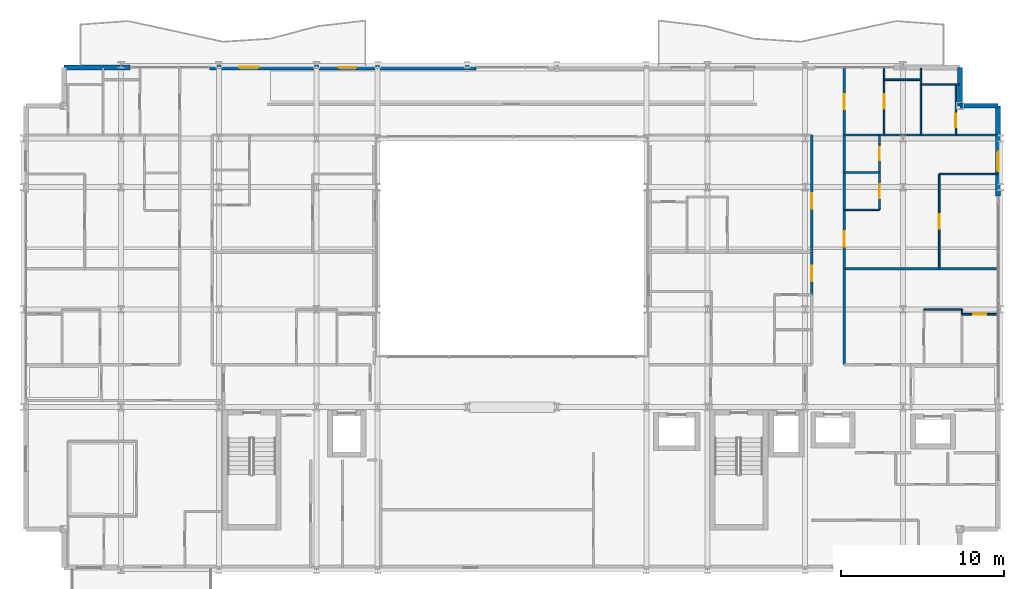
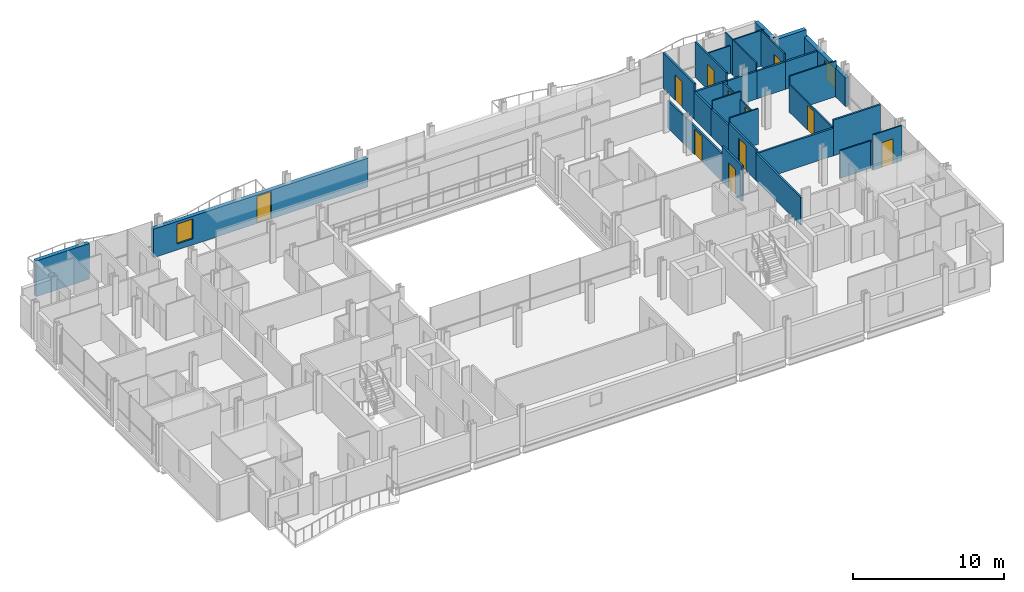
# One storey, part 36 of 41: 34 walls, 11 doors, 2 windows, 13 openings.
"""IFC4 building model written with IfcOpenShell, lengths in metres."""

from ifc_helpers import new_model, si_unit, direction, frame, frame_2d, origin, place, context, subcontext, project, spatial, rectangle, extrude, material, layer, layer_set, type_object, element, fill, save


model = new_model("IFC4")

# Units and contexts
model_context = context("Model", 3, precision=1e-05, world=origin(), true_north=direction((0.0, 1.0)))
body_context = subcontext(model_context, "Body", "Model", "MODEL_VIEW")
ifc_project = project(units=[si_unit("LENGTHUNIT", "METRE"), si_unit("AREAUNIT", "SQUARE_METRE"), si_unit("VOLUMEUNIT", "CUBIC_METRE"), si_unit("PLANEANGLEUNIT", "RADIAN"), si_unit("MASSUNIT", "GRAM", prefix="KILO")], contexts=[model_context])

# Site, building, storey
site_placement = place(None, origin())
site = spatial("IfcSite", under=ifc_project, at=site_placement, CompositionType="ELEMENT")
building_placement = place(site_placement, origin())
building = spatial("IfcBuilding", under=site, at=building_placement, Name="Brevholm Reach", CompositionType="ELEMENT")
storey_placement = place(building_placement, frame((0.0, 0.0, 49.699951171875)))
storey = spatial("IfcBuildingStorey", under=building, at=storey_placement, Name="L13", CompositionType="ELEMENT", Elevation=49.699951171875)

# Walls
ifc_material_1 = material(Name="Concrete C40/50", Category="concrete")
ifc_layer_1 = layer(ifc_material_1, 0.300048828125)
ifc_layer_set_1 = layer_set([ifc_layer_1], Name="Concrete C40/50")
wall_type_1 = type_object("IfcWallType", Name="WAL-EXT-300", PredefinedType="STANDARD", material=ifc_layer_set_1)
for number, where, z_axis, x_axis, name in (
    (1, (59.85009765625, 28.5, 0.0), (0.0, 0.0, 1.0), (-1.0, 0.0, 0.0), "L13 Facade Wall WAL-L13-CNE1"),
    (2, (57.5, 28.5, 0.0), (0.0, 0.0, 1.0), (0.0, 1.0, 0.0), "L13 Facade Wall WAL-L13-CNE2"),
):
    element("IfcWall", number, at=place(storey_placement, frame(where, z_axis=z_axis, x_axis=x_axis)), inside=storey, type_object=wall_type_1, Name=name, PredefinedType="STANDARD", context=body_context, shape_type="SweptSolid", body=[
        extrude(rectangle(XDim=2.35009765625, YDim=0.300048828125, at=frame_2d((1.175048828125, 0.0))), origin(), (0.0, 0.0, 1.0), 2.8701171875),
    ])

# Wall, opening, window
wall_1_placement = place(storey_placement, frame((59.85009765625, 22.949951171875, 0.0), z_axis=(0.0, 0.0, 1.0), x_axis=(0.0, 1.0, 0.0)))
wall_1 = element("IfcWall", 3, at=wall_1_placement, inside=storey, type_object=wall_type_1, Name="L13 Facade Wall WAL-L13-E-N", PredefinedType="STANDARD", context=body_context, shape_type="SweptSolid", body=[
    extrude(rectangle(XDim=5.550048828125, YDim=0.300048828125, at=frame_2d((2.77490234375, 0.0))), origin(), (0.0, 0.0, 1.0), 2.3056640625),
])
opening_1_placement = place(wall_1_placement, frame((1.530029296875, 0.0, 0.485107421875)))
opening_1 = element("IfcOpeningElement", 4, at=opening_1_placement, cuts=wall_1, Name="Opening WN-08", PredefinedType="OPENING", context=body_context, shape_type="SweptSolid", body=[
    extrude(rectangle(XDim=1.199951171875, YDim=1.60009765625, at=frame_2d((0.60009765625, 0.800048828125))), frame((0.0, 0.159912109375, 0.0), z_axis=(0.0, -1.0, 0.0), x_axis=(1.0, 0.0, 0.0)), (0.0, 0.0, 1.0), 0.320068359375),
])
ifc_material_2 = material(Name="Dark Anodised Aluminium and Solar-Control IGU Glass", Category="aluminium")
window_type = type_object("IfcWindowType", Name="WIN-RES-1200", PartitioningType="SINGLE_PANEL", PredefinedType="WINDOW", material=ifc_material_2)
window_1_placement = place(opening_1_placement, origin())
window_1 = element("IfcWindow", 5, at=window_1_placement, inside=storey, type_object=window_type, Name="L13 Window WIN-L13-EN-1", OverallHeight=1.60009765625, OverallWidth=1.199951171875, PartitioningType="SINGLE_PANEL", PredefinedType="WINDOW", context=body_context, shape_type="SweptSolid", body=[
    extrude(rectangle(XDim=1.199951171875, YDim=1.60009765625, at=frame_2d((0.60009765625, 0.800048828125))), frame((0.0, 0.030029296875, 0.0), z_axis=(0.0, -1.0, 0.0), x_axis=(1.0, 0.0, 0.0)), (0.0, 0.0, 1.0), 0.06005859375),
])
fill(opening_1, window_1)

# Wall
wall_2_placement = place(storey_placement, frame((2.5, 30.85009765625, 0.0), z_axis=(0.0, 0.0, 1.0), x_axis=(1.0, 0.0, 0.0)))
element("IfcWall", 6, at=wall_2_placement, inside=storey, type_object=wall_type_1, Name="L13 Facade Wall WAL-L13-NP-W0", PredefinedType="STANDARD", context=body_context, shape_type="SweptSolid", body=[
    extrude(rectangle(XDim=4.050048828125, YDim=0.300048828125, at=frame_2d((2.02490234375, 0.0))), origin(), (0.0, 0.0, 1.0), 2.8701171875),
])

# Wall, openings, door, window
wall_3_placement = place(storey_placement, frame((11.449951171875, 30.85009765625, 0.0), z_axis=(0.0, 0.0, 1.0), x_axis=(1.0, 0.0, 0.0)))
wall_3 = element("IfcWall", 7, at=wall_3_placement, inside=storey, type_object=wall_type_1, Name="L13 Facade Wall WAL-L13-NP-WL", PredefinedType="STANDARD", context=body_context, shape_type="SweptSolid", body=[
    extrude(rectangle(XDim=16.35009765625, YDim=0.300048828125, at=frame_2d((8.175048828125, 0.0))), origin(), (0.0, 0.0, 1.0), 2.3056640625),
])
opening_2_placement = place(wall_3_placement, frame((7.89794921875, 0.0, 0.0)))
opening_2 = element("IfcOpeningElement", 8, at=opening_2_placement, cuts=wall_3, Name="Opening BD-01", PredefinedType="OPENING", context=body_context, shape_type="SweptSolid", body=[
    extrude(rectangle(XDim=1.10009765625, YDim=2.199951171875, at=frame_2d((0.550048828125, 1.10009765625))), frame((0.0, 0.159912109375, 0.0), z_axis=(0.0, -1.0, 0.0), x_axis=(1.0, 0.0, 0.0)), (0.0, 0.0, 1.0), 0.320068359375),
])
opening_3_placement = place(wall_3_placement, frame((1.800048828125, 0.0, 0.485107421875)))
opening_3 = element("IfcOpeningElement", 9, at=opening_3_placement, cuts=wall_3, Name="Opening WN-08", PredefinedType="OPENING", context=body_context, shape_type="SweptSolid", body=[
    extrude(rectangle(XDim=1.199951171875, YDim=1.60009765625, at=frame_2d((0.60009765625, 0.800048828125))), frame((0.0, 0.159912109375, 0.0), z_axis=(0.0, -1.0, 0.0), x_axis=(1.0, 0.0, 0.0)), (0.0, 0.0, 1.0), 0.320068359375),
])
ifc_material_3 = material(Name="Dark Anodised Aluminium and Triple-Glazed Glass", Category="aluminium")
door_type_1 = type_object("IfcDoorType", Name="DOR-BALC-1100", OperationType="NOTDEFINED", PredefinedType="DOOR", material=ifc_material_3)
door_1_placement = place(opening_2_placement, origin())
door_1 = element("IfcDoor", 10, at=door_1_placement, inside=storey, type_object=door_type_1, Name="L13 Exterior Door DOR-L13-BL-NW", OperationType="SINGLE_SWING_RIGHT", OverallHeight=2.199951171875, OverallWidth=1.10009765625, PredefinedType="DOOR", context=body_context, shape_type="SweptSolid", body=[
    extrude(rectangle(XDim=1.10009765625, YDim=2.199951171875, at=frame_2d((0.550048828125, 1.10009765625))), frame((0.0, 0.02490234375, 0.0), z_axis=(0.0, -1.0, 0.0), x_axis=(1.0, 0.0, 0.0)), (0.0, 0.0, 1.0), 0.050048828125),
])
fill(opening_2, door_1)
window_2_placement = place(opening_3_placement, origin())
window_2 = element("IfcWindow", 11, at=window_2_placement, inside=storey, type_object=window_type, Name="L13 Window WIN-L13-NP-WL1", OverallHeight=1.60009765625, OverallWidth=1.199951171875, PartitioningType="SINGLE_PANEL", PredefinedType="WINDOW", context=body_context, shape_type="SweptSolid", body=[
    extrude(rectangle(XDim=1.199951171875, YDim=1.60009765625, at=frame_2d((0.60009765625, 0.800048828125))), frame((0.0, 0.030029296875, 0.0), z_axis=(0.0, -1.0, 0.0), x_axis=(1.0, 0.0, 0.0)), (0.0, 0.0, 1.0), 0.06005859375),
])
fill(opening_3, window_2)

# Wall, opening, door
ifc_material_4 = material(Name="Moisture-Resistant Acoustic Gypsum Stud Partition 100 mm", Category="gypsum")
ifc_layer_2 = layer(ifc_material_4, 0.10009765625)
ifc_layer_set_2 = layer_set([ifc_layer_2], Name="Moisture-Resistant Acoustic Gypsum Stud Partition 100 mm")
wall_type_2 = type_object("IfcWallType", Name="WAL-PRT-100", PredefinedType="PARTITIONING", material=ifc_layer_set_2)
wall_4_placement = place(storey_placement, frame((57.637939453125, 15.699951171875, 0.0), z_axis=(0.0, 0.0, 1.0), x_axis=(1.0, 0.0, 0.0)))
wall_4 = element("IfcWall", 12, at=wall_4_placement, inside=storey, type_object=wall_type_2, Name="L13 Internal Partition 121", PredefinedType="PARTITIONING", context=body_context, shape_type="SweptSolid", body=[
    extrude(rectangle(XDim=2.162109375, YDim=0.10009765625, at=frame_2d((1.0810546875, 0.0))), origin(), (0.0, 0.0, 1.0), 2.8701171875),
])
opening_4_placement = place(wall_4_placement, frame((0.6708984375, 0.0, 0.0)))
opening_4 = element("IfcOpeningElement", 13, at=opening_4_placement, cuts=wall_4, Name="Opening ID-03", PredefinedType="OPENING", context=body_context, shape_type="SweptSolid", body=[
    extrude(rectangle(XDim=0.820068359375, YDim=2.02001953125, at=frame_2d((0.41015625, 1.010009765625))), frame((0.0, 0.06005859375, 0.0), z_axis=(0.0, -1.0, 0.0), x_axis=(1.0, 0.0, 0.0)), (0.0, 0.0, 1.0), 0.1201171875),
])
ifc_material_5 = material(Name="Moisture-Resistant Painted Timber Internal Bathroom Door", Category="wood")
door_type_2 = type_object("IfcDoorType", Name="DOR-BATH-820", OperationType="NOTDEFINED", PredefinedType="DOOR", material=ifc_material_5)
door_2_placement = place(opening_4_placement, origin())
door_2 = element("IfcDoor", 14, at=door_2_placement, inside=storey, type_object=door_type_2, Name="L13 Internal Door 045", OperationType="SINGLE_SWING_RIGHT", OverallHeight=2.02001953125, OverallWidth=0.820068359375, PredefinedType="DOOR", context=body_context, shape_type="SweptSolid", body=[
    extrude(rectangle(XDim=0.820068359375, YDim=2.02001953125, at=frame_2d((0.41015625, 1.010009765625))), frame((0.0, 0.02490234375, 0.0), z_axis=(0.0, -1.0, 0.0), x_axis=(1.0, 0.0, 0.0)), (0.0, 0.0, 1.0), 0.050048828125),
])
fill(opening_4, door_2)

# Walls
wall_5_placement = place(storey_placement, frame((57.637939453125, 15.7041015625, 0.0), z_axis=(0.0, 0.0, 1.0), x_axis=(0.0, 1.0, 0.0)))
element("IfcWall", 15, at=wall_5_placement, inside=storey, type_object=wall_type_2, Name="L13 Internal Partition 122", PredefinedType="PARTITIONING", context=body_context, shape_type="SweptSolid", body=[
    extrude(rectangle(XDim=0.2958984375, YDim=0.10009765625, at=frame_2d((0.14794921875, 0.0))), origin(), (0.0, 0.0, 1.0), 2.224853515625),
])
wall_6_placement = place(storey_placement, frame((55.2880859375, 16.0, 0.0), z_axis=(0.0, 0.0, 1.0), x_axis=(1.0, 0.0, 0.0)))
element("IfcWall", 16, at=wall_6_placement, inside=storey, type_object=wall_type_2, Name="L13 Internal Partition 123", PredefinedType="PARTITIONING", context=body_context, shape_type="SweptSolid", body=[
    extrude(rectangle(XDim=2.349853515625, YDim=0.10009765625, at=frame_2d((1.1748046875, 0.0))), origin(), (0.0, 0.0, 1.0), 2.224853515625),
])
wall_7_placement = place(storey_placement, frame((50.404052734375, 24.406005859375, 0.0), z_axis=(0.0, 0.0, 1.0), x_axis=(1.0, 0.0, 0.0)))
element("IfcWall", 17, at=wall_7_placement, inside=storey, type_object=wall_type_2, Name="L13 Internal Partition 127", PredefinedType="PARTITIONING", context=body_context, shape_type="SweptSolid", body=[
    extrude(rectangle(XDim=2.157958984375, YDim=0.10009765625, at=frame_2d((1.0791015625, 0.0))), origin(), (0.0, 0.0, 1.0), 2.8701171875),
])

# Wall, opening, door
wall_8_placement = place(storey_placement, frame((52.56201171875, 24.406005859375, 0.0), z_axis=(0.0, 0.0, 1.0), x_axis=(0.0, 1.0, 0.0)))
wall_8 = element("IfcWall", 18, at=wall_8_placement, inside=storey, type_object=wall_type_2, Name="L13 Internal Partition 128", PredefinedType="PARTITIONING", context=body_context, shape_type="SweptSolid", body=[
    extrude(rectangle(XDim=2.2939453125, YDim=0.10009765625, at=frame_2d((1.14697265625, 0.0))), origin(), (0.0, 0.0, 1.0), 2.224853515625),
])
opening_5_placement = place(wall_8_placement, frame((0.737060546875, 0.0, 0.0)))
opening_5 = element("IfcOpeningElement", 19, at=opening_5_placement, cuts=wall_8, Name="Opening ID-03", PredefinedType="OPENING", context=body_context, shape_type="SweptSolid", body=[
    extrude(rectangle(XDim=0.820068359375, YDim=2.02001953125, at=frame_2d((0.41015625, 1.010009765625))), frame((0.0, 0.06005859375, 0.0), z_axis=(0.0, -1.0, 0.0), x_axis=(1.0, 0.0, 0.0)), (0.0, 0.0, 1.0), 0.1201171875),
])
door_3_placement = place(opening_5_placement, origin())
door_3 = element("IfcDoor", 20, at=door_3_placement, inside=storey, type_object=door_type_2, Name="L13 Internal Door 047", OperationType="SINGLE_SWING_RIGHT", OverallHeight=2.02001953125, OverallWidth=0.820068359375, PredefinedType="DOOR", context=body_context, shape_type="SweptSolid", body=[
    extrude(rectangle(XDim=0.820068359375, YDim=2.02001953125, at=frame_2d((0.41015625, 1.010009765625))), frame((0.0, 0.02490234375, 0.0), z_axis=(0.0, -1.0, 0.0), x_axis=(1.0, 0.0, 0.0)), (0.0, 0.0, 1.0), 0.050048828125),
])
fill(opening_5, door_3)

# Wall
wall_9_placement = place(storey_placement, frame((50.404052734375, 22.110107421875, 0.0), z_axis=(0.0, 0.0, 1.0), x_axis=(1.0, 0.0, 0.0)))
element("IfcWall", 21, at=wall_9_placement, inside=storey, type_object=wall_type_2, Name="L13 Internal Partition 130", PredefinedType="PARTITIONING", context=body_context, shape_type="SweptSolid", body=[
    extrude(rectangle(XDim=2.157958984375, YDim=0.10009765625, at=frame_2d((1.0791015625, 0.0))), origin(), (0.0, 0.0, 1.0), 2.8701171875),
])

# Wall, opening, door
wall_10_placement = place(storey_placement, frame((52.56201171875, 22.110107421875, 0.0), z_axis=(0.0, 0.0, 1.0), x_axis=(0.0, 1.0, 0.0)))
wall_10 = element("IfcWall", 22, at=wall_10_placement, inside=storey, type_object=wall_type_2, Name="L13 Internal Partition 131", PredefinedType="PARTITIONING", context=body_context, shape_type="SweptSolid", body=[
    extrude(rectangle(XDim=2.2919921875, YDim=0.10009765625, at=frame_2d((1.14599609375, 0.0))), origin(), (0.0, 0.0, 1.0), 2.224853515625),
])
opening_6_placement = place(wall_10_placement, frame((0.7060546875, 0.0, 0.0)))
opening_6 = element("IfcOpeningElement", 23, at=opening_6_placement, cuts=wall_10, Name="Opening ID-01", PredefinedType="OPENING", context=body_context, shape_type="SweptSolid", body=[
    extrude(rectangle(XDim=0.8798828125, YDim=2.0400390625, at=frame_2d((0.43994140625, 1.02001953125))), frame((0.0, 0.06005859375, 0.0), z_axis=(0.0, -1.0, 0.0), x_axis=(1.0, 0.0, 0.0)), (0.0, 0.0, 1.0), 0.1201171875),
])
ifc_material_6 = material(Name="Lacquered Ash Solid-Core Acoustic Internal Door", Category="timber")
door_type_3 = type_object("IfcDoorType", Name="DOR-INT-880", OperationType="NOTDEFINED", PredefinedType="DOOR", material=ifc_material_6)
door_4_placement = place(opening_6_placement, origin())
door_4 = element("IfcDoor", 24, at=door_4_placement, inside=storey, type_object=door_type_3, Name="L13 Internal Door 048", OperationType="SINGLE_SWING_LEFT", OverallHeight=2.0400390625, OverallWidth=0.8798828125, PredefinedType="DOOR", context=body_context, shape_type="SweptSolid", body=[
    extrude(rectangle(XDim=0.8798828125, YDim=2.0400390625, at=frame_2d((0.43994140625, 1.02001953125))), frame((0.0, 0.02490234375, 0.0), z_axis=(0.0, -1.0, 0.0), x_axis=(1.0, 0.0, 0.0)), (0.0, 0.0, 1.0), 0.050048828125),
])
fill(opening_6, door_4)

# Wall
wall_11_placement = place(storey_placement, frame((56.22802734375, 24.300048828125, 0.0), z_axis=(0.0, 0.0, 1.0), x_axis=(1.0, 0.0, 0.0)))
element("IfcWall", 25, at=wall_11_placement, inside=storey, type_object=wall_type_2, Name="L13 Internal Partition 132", PredefinedType="PARTITIONING", context=body_context, shape_type="SweptSolid", body=[
    extrude(rectangle(XDim=3.572021484375, YDim=0.10009765625, at=frame_2d((1.7861328125, 0.0))), origin(), (0.0, 0.0, 1.0), 2.8701171875),
])

# Wall, opening, door
wall_12_placement = place(storey_placement, frame((56.22802734375, 18.50390625, 0.0), z_axis=(0.0, 0.0, 1.0), x_axis=(0.0, 1.0, 0.0)))
wall_12 = element("IfcWall", 26, at=wall_12_placement, inside=storey, type_object=wall_type_2, Name="L13 Internal Partition 133", PredefinedType="PARTITIONING", context=body_context, shape_type="SweptSolid", body=[
    extrude(rectangle(XDim=5.796142578125, YDim=0.10009765625, at=frame_2d((2.89794921875, 0.0))), origin(), (0.0, 0.0, 1.0), 2.224853515625),
])
opening_7_placement = place(wall_12_placement, frame((2.4580078125, 0.0, 0.0)))
opening_7 = element("IfcOpeningElement", 27, at=opening_7_placement, cuts=wall_12, Name="Opening ID-01", PredefinedType="OPENING", context=body_context, shape_type="SweptSolid", body=[
    extrude(rectangle(XDim=0.8798828125, YDim=2.0400390625, at=frame_2d((0.43994140625, 1.02001953125))), frame((0.0, 0.06005859375, 0.0), z_axis=(0.0, -1.0, 0.0), x_axis=(1.0, 0.0, 0.0)), (0.0, 0.0, 1.0), 0.1201171875),
])
door_5_placement = place(opening_7_placement, origin())
door_5 = element("IfcDoor", 28, at=door_5_placement, inside=storey, type_object=door_type_3, Name="L13 Internal Door 049", OperationType="SINGLE_SWING_RIGHT", OverallHeight=2.0400390625, OverallWidth=0.8798828125, PredefinedType="DOOR", context=body_context, shape_type="SweptSolid", body=[
    extrude(rectangle(XDim=0.8798828125, YDim=2.0400390625, at=frame_2d((0.43994140625, 1.02001953125))), frame((0.0, 0.02490234375, 0.0), z_axis=(0.0, -1.0, 0.0), x_axis=(1.0, 0.0, 0.0)), (0.0, 0.0, 1.0), 0.050048828125),
])
fill(opening_7, door_5)

# Wall
wall_13_placement = place(storey_placement, frame((55.10009765625, 26.7041015625, 0.0), z_axis=(0.0, 0.0, 1.0), x_axis=(0.0, 1.0, 0.0)))
element("IfcWall", 29, at=wall_13_placement, inside=storey, type_object=wall_type_2, Name="L13 Internal Partition 144", PredefinedType="PARTITIONING", context=body_context, shape_type="SweptSolid", body=[
    extrude(rectangle(XDim=3.095947265625, YDim=0.10009765625, at=frame_2d((1.5478515625, 0.0))), origin(), (0.0, 0.0, 1.0), 2.8701171875),
])

# Wall, opening, door
wall_14_placement = place(storey_placement, frame((57.25, 26.7041015625, 0.0), z_axis=(0.0, 0.0, 1.0), x_axis=(0.0, 1.0, 0.0)))
wall_14 = element("IfcWall", 30, at=wall_14_placement, inside=storey, type_object=wall_type_2, Name="L13 Internal Partition 145", PredefinedType="PARTITIONING", context=body_context, shape_type="SweptSolid", body=[
    extrude(rectangle(XDim=3.095947265625, YDim=0.10009765625, at=frame_2d((1.5478515625, 0.0))), origin(), (0.0, 0.0, 1.0), 2.8701171875),
])
opening_8_placement = place(wall_14_placement, frame((0.47802734375, 0.0, 0.0)))
opening_8 = element("IfcOpeningElement", 31, at=opening_8_placement, cuts=wall_14, Name="Opening ID-03", PredefinedType="OPENING", context=body_context, shape_type="SweptSolid", body=[
    extrude(rectangle(XDim=0.820068359375, YDim=2.02001953125, at=frame_2d((0.41015625, 1.010009765625))), frame((0.0, 0.06005859375, 0.0), z_axis=(0.0, -1.0, 0.0), x_axis=(1.0, 0.0, 0.0)), (0.0, 0.0, 1.0), 0.1201171875),
])
door_6_placement = place(opening_8_placement, origin())
door_6 = element("IfcDoor", 32, at=door_6_placement, inside=storey, type_object=door_type_2, Name="L13 Internal Door 052", OperationType="SINGLE_SWING_LEFT", OverallHeight=2.02001953125, OverallWidth=0.820068359375, PredefinedType="DOOR", context=body_context, shape_type="SweptSolid", body=[
    extrude(rectangle(XDim=0.820068359375, YDim=2.02001953125, at=frame_2d((0.41015625, 1.010009765625))), frame((0.0, 0.02490234375, 0.0), z_axis=(0.0, -1.0, 0.0), x_axis=(1.0, 0.0, 0.0)), (0.0, 0.0, 1.0), 0.050048828125),
])
fill(opening_8, door_6)

# Walls
wall_15_placement = place(storey_placement, frame((55.10009765625, 29.800048828125, 0.0), z_axis=(0.0, 0.0, 1.0), x_axis=(1.0, 0.0, 0.0)))
element("IfcWall", 33, at=wall_15_placement, inside=storey, type_object=wall_type_2, Name="L13 Internal Partition 146", PredefinedType="PARTITIONING", context=body_context, shape_type="SweptSolid", body=[
    extrude(rectangle(XDim=2.349853515625, YDim=0.10009765625, at=frame_2d((1.1748046875, 0.0))), origin(), (0.0, 0.0, 1.0), 2.8701171875),
])
wall_16_placement = place(storey_placement, frame((55.10009765625, 29.803955078125, 0.0), z_axis=(0.0, 0.0, 1.0), x_axis=(0.0, 1.0, 0.0)))
element("IfcWall", 34, at=wall_16_placement, inside=storey, type_object=wall_type_2, Name="L13 Internal Partition 147", PredefinedType="PARTITIONING", context=body_context, shape_type="SweptSolid", body=[
    extrude(rectangle(XDim=0.99609375, YDim=0.10009765625, at=frame_2d((0.498046875, 0.0))), origin(), (0.0, 0.0, 1.0), 2.8701171875),
])
wall_17_placement = place(storey_placement, frame((52.85009765625, 30.10009765625, 0.0), z_axis=(0.0, 0.0, 1.0), x_axis=(1.0, 0.0, 0.0)))
element("IfcWall", 35, at=wall_17_placement, inside=storey, type_object=wall_type_2, Name="L13 Internal Partition 148", PredefinedType="PARTITIONING", context=body_context, shape_type="SweptSolid", body=[
    extrude(rectangle(XDim=2.25, YDim=0.10009765625, at=frame_2d((1.125, 0.0))), origin(), (0.0, 0.0, 1.0), 2.224853515625),
])

# Wall, opening, door
wall_18_placement = place(storey_placement, frame((52.85009765625, 26.7041015625, 0.0), z_axis=(0.0, 0.0, 1.0), x_axis=(0.0, 1.0, 0.0)))
wall_18 = element("IfcWall", 36, at=wall_18_placement, inside=storey, type_object=wall_type_2, Name="L13 Internal Partition 149", PredefinedType="PARTITIONING", context=body_context, shape_type="SweptSolid", body=[
    extrude(rectangle(XDim=4.095947265625, YDim=0.10009765625, at=frame_2d((2.0478515625, 0.0))), origin(), (0.0, 0.0, 1.0), 2.8701171875),
])
opening_9_placement = place(wall_18_placement, frame((1.60791015625, 0.0, 0.0)))
opening_9 = element("IfcOpeningElement", 37, at=opening_9_placement, cuts=wall_18, Name="Opening ID-01", PredefinedType="OPENING", context=body_context, shape_type="SweptSolid", body=[
    extrude(rectangle(XDim=0.8798828125, YDim=2.0400390625, at=frame_2d((0.43994140625, 1.02001953125))), frame((0.0, 0.06005859375, 0.0), z_axis=(0.0, -1.0, 0.0), x_axis=(1.0, 0.0, 0.0)), (0.0, 0.0, 1.0), 0.1201171875),
])
door_7_placement = place(opening_9_placement, origin())
door_7 = element("IfcDoor", 38, at=door_7_placement, inside=storey, type_object=door_type_3, Name="L13 Internal Door 053", OperationType="SINGLE_SWING_RIGHT", OverallHeight=2.0400390625, OverallWidth=0.8798828125, PredefinedType="DOOR", context=body_context, shape_type="SweptSolid", body=[
    extrude(rectangle(XDim=0.8798828125, YDim=2.0400390625, at=frame_2d((0.43994140625, 1.02001953125))), frame((0.0, 0.02490234375, 0.0), z_axis=(0.0, -1.0, 0.0), x_axis=(1.0, 0.0, 0.0)), (0.0, 0.0, 1.0), 0.050048828125),
])
fill(opening_9, door_7)

ifc_material_7 = material(Name="Twin-Stud Acoustic Fire-Rated Gypsum Partition 140 mm", Category="gypsum")
ifc_layer_3 = layer(ifc_material_7, 0.139892578125)
ifc_layer_set_3 = layer_set([ifc_layer_3], Name="Twin-Stud Acoustic Fire-Rated Gypsum Partition 140 mm")
wall_type_3 = type_object("IfcWallType", Name="WAL-PRT-140", PredefinedType="PARTITIONING", material=ifc_layer_set_3)
wall_19_placement = place(storey_placement, frame((48.39990234375, 16.892578125, 0.0), z_axis=(0.0, 0.0, 1.0), x_axis=(0.0, 1.0, 0.0)))
wall_19 = element("IfcWall", 39, at=wall_19_placement, inside=storey, type_object=wall_type_3, Name="L13 Internal Partition 041", PredefinedType="PARTITIONING", context=body_context, shape_type="SweptSolid", body=[
    extrude(rectangle(XDim=2.61865234375, YDim=0.139892578125, at=frame_2d((1.309326171875, 0.0))), origin(), (0.0, 0.0, 1.0), 2.8701171875),
])
opening_10_placement = place(wall_19_placement, frame((0.834228515625, 0.0, 0.0)))
opening_10 = element("IfcOpeningElement", 40, at=opening_10_placement, cuts=wall_19, Name="Opening ID-30", PredefinedType="OPENING", context=body_context, shape_type="SweptSolid", body=[
    extrude(rectangle(XDim=0.949951171875, YDim=2.050048828125, at=frame_2d((0.47509765625, 1.02490234375))), frame((0.0, 0.079833984375, 0.0), z_axis=(0.0, -1.0, 0.0), x_axis=(1.0, 0.0, 0.0)), (0.0, 0.0, 1.0), 0.159912109375),
])
ifc_material_8 = material(Name="European Oak Veneered Solid-Core Fire Entrance Door", Category="timber")
door_type_4 = type_object("IfcDoorType", Name="DOR-FLT-FD30S", OperationType="NOTDEFINED", PredefinedType="DOOR", material=ifc_material_8)
door_8_placement = place(opening_10_placement, origin())
door_8 = element("IfcDoor", 41, at=door_8_placement, inside=storey, type_object=door_type_4, Name="L13 Internal Door 019", OperationType="SINGLE_SWING_RIGHT", OverallHeight=2.050048828125, OverallWidth=0.949951171875, PredefinedType="DOOR", context=body_context, shape_type="SweptSolid", body=[
    extrude(rectangle(XDim=0.949951171875, YDim=2.050048828125, at=frame_2d((0.47509765625, 1.02490234375))), frame((0.0, 0.02490234375, 0.0), z_axis=(0.0, -1.0, 0.0), x_axis=(1.0, 0.0, 0.0)), (0.0, 0.0, 1.0), 0.050048828125),
])
fill(opening_10, door_8)

wall_20_placement = place(storey_placement, frame((48.39990234375, 19.49267578125, 0.0), z_axis=(0.0, 0.0, 1.0), x_axis=(0.0, 1.0, 0.0)))
wall_20 = element("IfcWall", 42, at=wall_20_placement, inside=storey, type_object=wall_type_3, Name="L13 Internal Partition 042", PredefinedType="PARTITIONING", context=body_context, shape_type="SweptSolid", body=[
    extrude(rectangle(XDim=7.214599609375, YDim=0.139892578125, at=frame_2d((3.607421875, 0.0))), origin(), (0.0, 0.0, 1.0), 2.224853515625),
])
opening_11_placement = place(wall_20_placement, frame((2.6923828125, 0.0, 0.0)))
opening_11 = element("IfcOpeningElement", 43, at=opening_11_placement, cuts=wall_20, Name="Opening ID-30", PredefinedType="OPENING", context=body_context, shape_type="SweptSolid", body=[
    extrude(rectangle(XDim=0.949951171875, YDim=2.050048828125, at=frame_2d((0.47509765625, 1.02490234375))), frame((0.0, 0.079833984375, 0.0), z_axis=(0.0, -1.0, 0.0), x_axis=(1.0, 0.0, 0.0)), (0.0, 0.0, 1.0), 0.159912109375),
])
door_9_placement = place(opening_11_placement, origin())
door_9 = element("IfcDoor", 44, at=door_9_placement, inside=storey, type_object=door_type_4, Name="L13 Internal Door 020", OperationType="SINGLE_SWING_LEFT", OverallHeight=2.050048828125, OverallWidth=0.949951171875, PredefinedType="DOOR", context=body_context, shape_type="SweptSolid", body=[
    extrude(rectangle(XDim=0.949951171875, YDim=2.050048828125, at=frame_2d((0.47509765625, 1.02490234375))), frame((0.0, 0.02490234375, 0.0), z_axis=(0.0, -1.0, 0.0), x_axis=(1.0, 0.0, 0.0)), (0.0, 0.0, 1.0), 0.050048828125),
])
fill(opening_11, door_9)

# Walls
wall_21_placement = place(storey_placement, frame((50.39990234375, 12.60400390625, 0.0), z_axis=(0.0, 0.0, 1.0), x_axis=(0.0, 1.0, 0.0)))
element("IfcWall", 45, at=wall_21_placement, inside=storey, type_object=wall_type_3, Name="L13 Internal Partition 043", PredefinedType="PARTITIONING", context=body_context, shape_type="SweptSolid", body=[
    extrude(rectangle(XDim=5.9072265625, YDim=0.139892578125, at=frame_2d((2.95361328125, 0.0))), origin(), (0.0, 0.0, 1.0), 2.224853515625),
])
wall_22_placement = place(storey_placement, frame((50.39990234375, 24.394775390625, 0.0), z_axis=(0.0, 0.0, 1.0), x_axis=(0.0, 1.0, 0.0)))
element("IfcWall", 46, at=wall_22_placement, inside=storey, type_object=wall_type_3, Name="L13 Internal Partition 044", PredefinedType="PARTITIONING", context=body_context, shape_type="SweptSolid", body=[
    extrude(rectangle(XDim=2.31640625, YDim=0.139892578125, at=frame_2d((1.158203125, 0.0))), origin(), (0.0, 0.0, 1.0), 2.224853515625),
])
wall_23_placement = place(storey_placement, frame((50.39990234375, 22.0986328125, 0.0), z_axis=(0.0, 0.0, 1.0), x_axis=(0.0, 1.0, 0.0)))
element("IfcWall", 47, at=wall_23_placement, inside=storey, type_object=wall_type_3, Name="L13 Internal Partition 045", PredefinedType="PARTITIONING", context=body_context, shape_type="SweptSolid", body=[
    extrude(rectangle(XDim=2.314697265625, YDim=0.139892578125, at=frame_2d((1.1572265625, 0.0))), origin(), (0.0, 0.0, 1.0), 2.224853515625),
])

# Wall, opening, door
wall_24_placement = place(storey_placement, frame((50.39990234375, 18.49267578125, 0.0), z_axis=(0.0, 0.0, 1.0), x_axis=(0.0, 1.0, 0.0)))
wall_24 = element("IfcWall", 48, at=wall_24_placement, inside=storey, type_object=wall_type_3, Name="L13 Internal Partition 046", PredefinedType="PARTITIONING", context=body_context, shape_type="SweptSolid", body=[
    extrude(rectangle(XDim=3.62451171875, YDim=0.139892578125, at=frame_2d((1.812255859375, 0.0))), origin(), (0.0, 0.0, 1.0), 2.489990234375),
])
opening_12_placement = place(wall_24_placement, frame((1.33740234375, 0.0, 0.0)))
opening_12 = element("IfcOpeningElement", 49, at=opening_12_placement, cuts=wall_24, Name="Opening ID-30", PredefinedType="OPENING", context=body_context, shape_type="SweptSolid", body=[
    extrude(rectangle(XDim=0.949951171875, YDim=2.050048828125, at=frame_2d((0.47509765625, 1.02490234375))), frame((0.0, 0.079833984375, 0.0), z_axis=(0.0, -1.0, 0.0), x_axis=(1.0, 0.0, 0.0)), (0.0, 0.0, 1.0), 0.159912109375),
])
door_10_placement = place(opening_12_placement, origin())
door_10 = element("IfcDoor", 50, at=door_10_placement, inside=storey, type_object=door_type_4, Name="L13 Internal Door 021", OperationType="SINGLE_SWING_RIGHT", OverallHeight=2.050048828125, OverallWidth=0.949951171875, PredefinedType="DOOR", context=body_context, shape_type="SweptSolid", body=[
    extrude(rectangle(XDim=0.949951171875, YDim=2.050048828125, at=frame_2d((0.47509765625, 1.02490234375))), frame((0.0, 0.02490234375, 0.0), z_axis=(0.0, -1.0, 0.0), x_axis=(1.0, 0.0, 0.0)), (0.0, 0.0, 1.0), 0.050048828125),
])
fill(opening_12, door_10)

wall_25_placement = place(storey_placement, frame((50.39990234375, 26.692626953125, 0.0), z_axis=(0.0, 0.0, 1.0), x_axis=(0.0, 1.0, 0.0)))
wall_25 = element("IfcWall", 51, at=wall_25_placement, inside=storey, type_object=wall_type_3, Name="L13 Internal Partition 047", PredefinedType="PARTITIONING", context=body_context, shape_type="SweptSolid", body=[
    extrude(rectangle(XDim=4.107421875, YDim=0.139892578125, at=frame_2d((2.0537109375, 0.0))), origin(), (0.0, 0.0, 1.0), 2.8701171875),
])
opening_13_placement = place(wall_25_placement, frame((1.57861328125, 0.0, 0.0)))
opening_13 = element("IfcOpeningElement", 52, at=opening_13_placement, cuts=wall_25, Name="Opening ID-30", PredefinedType="OPENING", context=body_context, shape_type="SweptSolid", body=[
    extrude(rectangle(XDim=0.949951171875, YDim=2.050048828125, at=frame_2d((0.47509765625, 1.02490234375))), frame((0.0, 0.079833984375, 0.0), z_axis=(0.0, -1.0, 0.0), x_axis=(1.0, 0.0, 0.0)), (0.0, 0.0, 1.0), 0.159912109375),
])
door_11_placement = place(opening_13_placement, origin())
door_11 = element("IfcDoor", 53, at=door_11_placement, inside=storey, type_object=door_type_4, Name="L13 Internal Door 022", OperationType="SINGLE_SWING_LEFT", OverallHeight=2.050048828125, OverallWidth=0.949951171875, PredefinedType="DOOR", context=body_context, shape_type="SweptSolid", body=[
    extrude(rectangle(XDim=0.949951171875, YDim=2.050048828125, at=frame_2d((0.47509765625, 1.02490234375))), frame((0.0, 0.02490234375, 0.0), z_axis=(0.0, -1.0, 0.0), x_axis=(1.0, 0.0, 0.0)), (0.0, 0.0, 1.0), 0.050048828125),
])
fill(opening_13, door_11)

# Walls
wall_26_placement = place(storey_placement, frame((56.216796875, 18.5, 0.0), z_axis=(0.0, 0.0, 1.0), x_axis=(1.0, 0.0, 0.0)))
element("IfcWall", 54, at=wall_26_placement, inside=storey, type_object=wall_type_3, Name="L13 Internal Partition 125", PredefinedType="PARTITIONING", context=body_context, shape_type="SweptSolid", body=[
    extrude(rectangle(XDim=3.583251953125, YDim=0.139892578125, at=frame_2d((1.79150390625, 0.0))), origin(), (0.0, 0.0, 1.0), 2.8701171875),
])
wall_27_placement = place(storey_placement, frame((50.404052734375, 18.5, 0.0), z_axis=(0.0, 0.0, 1.0), x_axis=(1.0, 0.0, 0.0)))
element("IfcWall", 55, at=wall_27_placement, inside=storey, type_object=wall_type_3, Name="L13 Internal Partition 126", PredefinedType="PARTITIONING", context=body_context, shape_type="SweptSolid", body=[
    extrude(rectangle(XDim=5.831298828125, YDim=0.139892578125, at=frame_2d((2.91552734375, 0.0))), origin(), (0.0, 0.0, 1.0), 2.224853515625),
])
wall_28_placement = place(storey_placement, frame((50.404052734375, 26.699951171875, 0.0), z_axis=(0.0, 0.0, 1.0), x_axis=(1.0, 0.0, 0.0)))
element("IfcWall", 56, at=wall_28_placement, inside=storey, type_object=wall_type_3, Name="L13 Internal Partition 129", PredefinedType="PARTITIONING", context=body_context, shape_type="SweptSolid", body=[
    extrude(rectangle(XDim=2.157958984375, YDim=0.139892578125, at=frame_2d((1.0791015625, 0.0))), origin(), (0.0, 0.0, 1.0), 2.224853515625),
])
wall_29_placement = place(storey_placement, frame((55.088623046875, 26.699951171875, 0.0), z_axis=(0.0, 0.0, 1.0), x_axis=(1.0, 0.0, 0.0)))
element("IfcWall", 57, at=wall_29_placement, inside=storey, type_object=wall_type_3, Name="L13 Internal Partition 134", PredefinedType="PARTITIONING", context=body_context, shape_type="SweptSolid", body=[
    extrude(rectangle(XDim=2.172607421875, YDim=0.139892578125, at=frame_2d((1.08642578125, 0.0))), origin(), (0.0, 0.0, 1.0), 2.224853515625),
])
wall_30_placement = place(storey_placement, frame((52.838623046875, 26.699951171875, 0.0), z_axis=(0.0, 0.0, 1.0), x_axis=(1.0, 0.0, 0.0)))
element("IfcWall", 58, at=wall_30_placement, inside=storey, type_object=wall_type_3, Name="L13 Internal Partition 135", PredefinedType="PARTITIONING", context=body_context, shape_type="SweptSolid", body=[
    extrude(rectangle(XDim=2.268798828125, YDim=0.139892578125, at=frame_2d((1.13427734375, 0.0))), origin(), (0.0, 0.0, 1.0), 2.224853515625),
])
wall_31_placement = place(storey_placement, frame((57.24267578125, 26.699951171875, 0.0), z_axis=(0.0, 0.0, 1.0), x_axis=(1.0, 0.0, 0.0)))
element("IfcWall", 59, at=wall_31_placement, inside=storey, type_object=wall_type_3, Name="L13 Internal Partition 136", PredefinedType="PARTITIONING", context=body_context, shape_type="SweptSolid", body=[
    extrude(rectangle(XDim=2.557373046875, YDim=0.139892578125, at=frame_2d((1.27880859375, 0.0))), origin(), (0.0, 0.0, 1.0), 2.224853515625),
])
wall_32_placement = place(storey_placement, frame((52.56591796875, 26.699951171875, 0.0), z_axis=(0.0, 0.0, 1.0), x_axis=(1.0, 0.0, 0.0)))
element("IfcWall", 60, at=wall_32_placement, inside=storey, type_object=wall_type_3, Name="L13 Internal Partition 137", PredefinedType="PARTITIONING", context=body_context, shape_type="SweptSolid", body=[
    extrude(rectangle(XDim=0.29150390625, YDim=0.139892578125, at=frame_2d((0.145751953125, 0.0))), origin(), (0.0, 0.0, 1.0), 2.224853515625),
])

save(model, "model.ifc")
